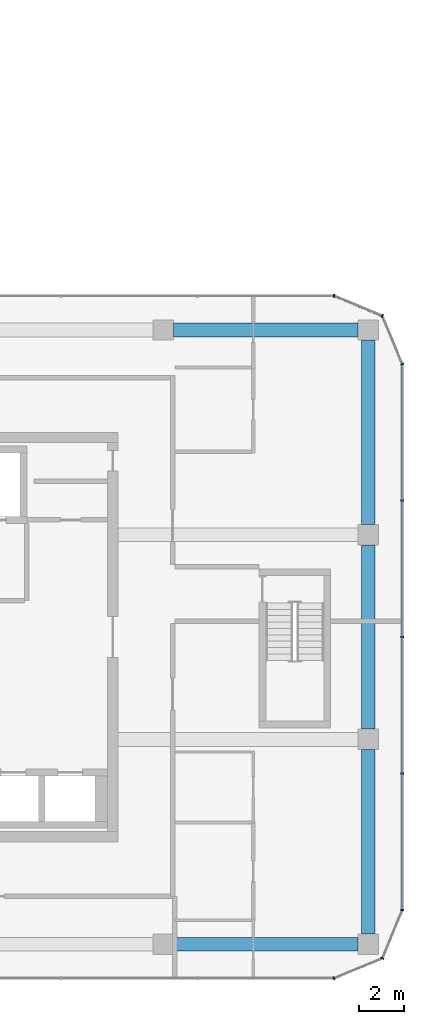
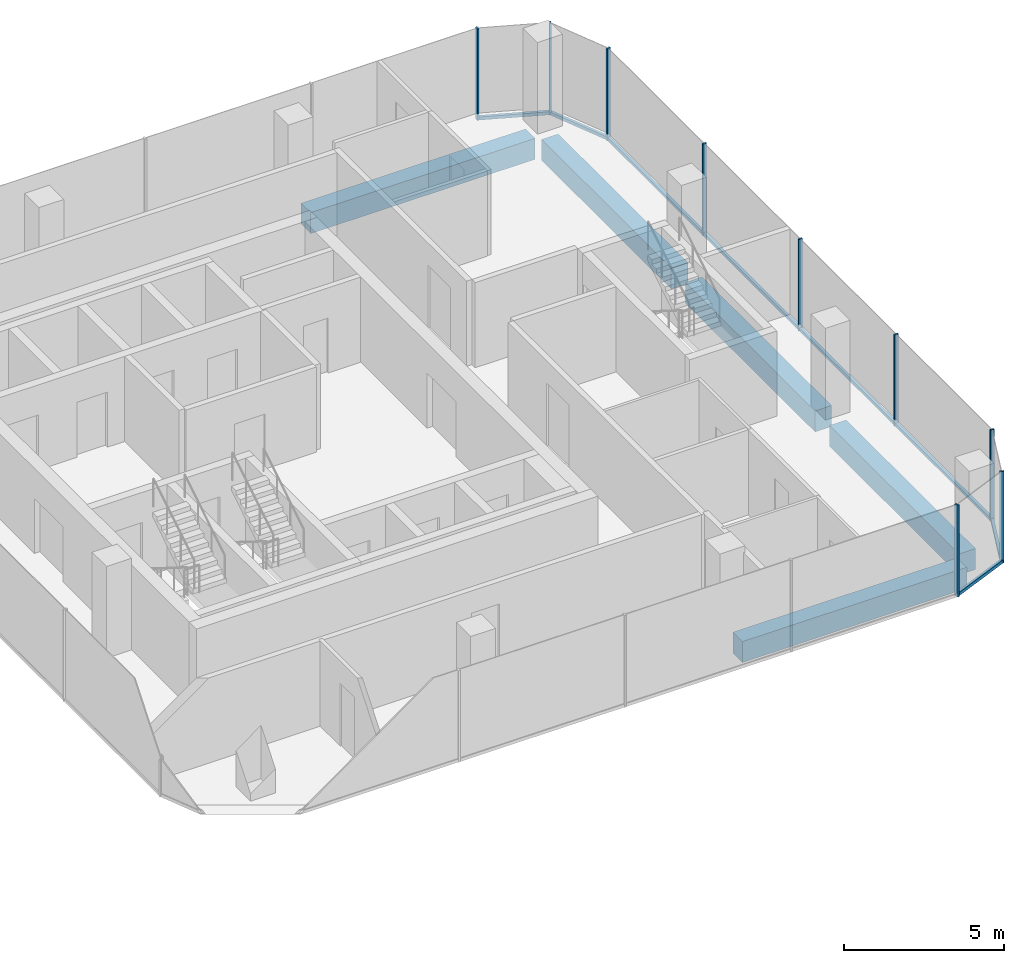
# One storey, part 10 of 23: 14 members, 5 beams, 6 elements without a shape of their own.
"""IFC4 building model written with IfcOpenShell, lengths in metres."""

from ifc_helpers import new_model, si_unit, direction, frame, origin, origin_2d, place, context, subcontext, project, spatial, rectangle, extrude, material, layer, layer_set, material_profile, profile_set, type_object, element, aggregate, save


model = new_model("IFC4")

# Units and contexts
model_context = context("Model", 3, precision=1e-05, world=origin(), true_north=direction((0.0, 1.0)))
body_context = subcontext(model_context, "Body", "Model", "MODEL_VIEW")
ifc_project = project(units=[si_unit("LENGTHUNIT", "METRE"), si_unit("AREAUNIT", "SQUARE_METRE"), si_unit("VOLUMEUNIT", "CUBIC_METRE"), si_unit("PLANEANGLEUNIT", "RADIAN"), si_unit("MASSUNIT", "GRAM", prefix="KILO")], contexts=[model_context])

# Site, building, storey
site_placement = place(None, origin())
site = spatial("IfcSite", under=ifc_project, at=site_placement, CompositionType="ELEMENT")
building_placement = place(site_placement, origin())
building = spatial("IfcBuilding", under=site, at=building_placement, Name="Plateau Cross Towers", CompositionType="ELEMENT")
storey_placement = place(building_placement, frame((0.0, 0.0, 81.800048828125)))
storey = spatial("IfcBuildingStorey", under=building, at=storey_placement, Name="L20", CompositionType="ELEMENT", Elevation=81.800048828125)

# Curtain wall, member
ifc_material_1 = material(Name="Dark low-iron glass", Category="glass")
ifc_layer = layer(ifc_material_1, 0.239990234375)
ifc_layer_set = layer_set([ifc_layer], Name="Dark low-iron glass")
curtain_wall_type = type_object("IfcCurtainWallType", Name="Curtain wall office unitised CW-F", PredefinedType="NOTDEFINED", material=ifc_layer_set)
curtain_wall_1_placement = place(storey_placement, origin())
curtain_wall_1 = element("IfcCurtainWall", 1, at=curtain_wall_1_placement, inside=storey, type_object=curtain_wall_type, Name="ENV/B/L20/B990_-60", PredefinedType="NOTDEFINED")
ifc_material_2 = material(Name="Black anodised aluminium", Category="aluminium")
ifc_material_profile_1 = material_profile(ifc_material_2, rectangle(XDim=0.06005859375, YDim=0.139892578125, at=origin_2d()), Name="MULLION 60x140")
ifc_profile_set_1 = profile_set([ifc_material_profile_1], Name="Black anodised aluminium")
member_type_1 = type_object("IfcMemberType", Name="Mullion 60x140 office unitised", PredefinedType="MULLION", material=ifc_profile_set_1)
member_1_placement = place(storey_placement, frame((99.0, -6.0, -0.25), z_axis=(0.0, 0.0, 1.0), x_axis=(0.923879457699, 0.382683612978, 0.0)))
member_1 = element("IfcMember", 2, at=member_1_placement, type_object=member_type_1, Name="CW-F mullion 1", PredefinedType="MULLION", context=body_context, shape_type="SweptSolid", body=[
    extrude(rectangle(XDim=0.06005859375, YDim=0.139892578125, at=origin_2d()), origin(), (0.0, 0.0, 1.0), 3.5),
])

curtain_wall_2_placement = place(storey_placement, origin())
curtain_wall_2 = element("IfcCurtainWall", 3, at=curtain_wall_2_placement, inside=storey, type_object=curtain_wall_type, Name="ENV/B/L20/B1011_-51", PredefinedType="NOTDEFINED")
member_2_placement = place(storey_placement, frame((101.121337890625, -5.121337890625, -0.25), z_axis=(0.0, 0.0, 1.0), x_axis=(0.382683612978, 0.923879457699, 0.0)))
member_2 = element("IfcMember", 4, at=member_2_placement, type_object=member_type_1, Name="CW-F mullion 1", PredefinedType="MULLION", context=body_context, shape_type="SweptSolid", body=[
    extrude(rectangle(XDim=0.06005859375, YDim=0.139892578125, at=origin_2d()), origin(), (0.0, 0.0, 1.0), 3.5),
])

# Curtain wall, members
curtain_wall_3_placement = place(storey_placement, origin())
curtain_wall_3 = element("IfcCurtainWall", 5, at=curtain_wall_3_placement, inside=storey, type_object=curtain_wall_type, Name="ENV/B/L20/B1020_-30", PredefinedType="NOTDEFINED")
member_3_placement = place(storey_placement, frame((102.0, -3.0, -0.25), z_axis=(0.0, 0.0, 1.0), x_axis=(0.0, 1.0, 0.0)))
member_3 = element("IfcMember", 6, at=member_3_placement, type_object=member_type_1, Name="CW-F mullion 1", PredefinedType="MULLION", context=body_context, shape_type="SweptSolid", body=[
    extrude(rectangle(XDim=0.06005859375, YDim=0.139892578125, at=origin_2d()), origin(), (0.0, 0.0, 1.0), 3.5),
])
member_4_placement = place(storey_placement, frame((102.0, 3.0, -0.25), z_axis=(0.0, 0.0, 1.0), x_axis=(0.0, 1.0, 0.0)))
member_4 = element("IfcMember", 7, at=member_4_placement, type_object=member_type_1, Name="CW-F mullion 2", PredefinedType="MULLION", context=body_context, shape_type="SweptSolid", body=[
    extrude(rectangle(XDim=0.06005859375, YDim=0.139892578125, at=origin_2d()), origin(), (0.0, 0.0, 1.0), 3.5),
])
member_5_placement = place(storey_placement, frame((102.0, 9.0, -0.25), z_axis=(0.0, 0.0, 1.0), x_axis=(0.0, 1.0, 0.0)))
member_5 = element("IfcMember", 8, at=member_5_placement, type_object=member_type_1, Name="CW-F mullion 3", PredefinedType="MULLION", context=body_context, shape_type="SweptSolid", body=[
    extrude(rectangle(XDim=0.06005859375, YDim=0.139892578125, at=origin_2d()), origin(), (0.0, 0.0, 1.0), 3.5),
])
member_6_placement = place(storey_placement, frame((102.0, 15.0, -0.25), z_axis=(0.0, 0.0, 1.0), x_axis=(0.0, 1.0, 0.0)))
member_6 = element("IfcMember", 9, at=member_6_placement, type_object=member_type_1, Name="CW-F mullion 4", PredefinedType="MULLION", context=body_context, shape_type="SweptSolid", body=[
    extrude(rectangle(XDim=0.06005859375, YDim=0.139892578125, at=origin_2d()), origin(), (0.0, 0.0, 1.0), 3.5),
])

# Curtain wall, member
curtain_wall_4_placement = place(storey_placement, origin())
curtain_wall_4 = element("IfcCurtainWall", 10, at=curtain_wall_4_placement, inside=storey, type_object=curtain_wall_type, Name="ENV/B/L20/B1020_210", PredefinedType="NOTDEFINED")
member_7_placement = place(storey_placement, frame((102.0, 21.0, -0.25), z_axis=(0.0, 0.0, 1.0), x_axis=(-0.382683612978, 0.923879457699, 0.0)))
member_7 = element("IfcMember", 11, at=member_7_placement, type_object=member_type_1, Name="CW-F mullion 1", PredefinedType="MULLION", context=body_context, shape_type="SweptSolid", body=[
    extrude(rectangle(XDim=0.06005859375, YDim=0.139892578125, at=origin_2d()), origin(), (0.0, 0.0, 1.0), 3.5),
])

curtain_wall_5_placement = place(storey_placement, origin())
curtain_wall_5 = element("IfcCurtainWall", 12, at=curtain_wall_5_placement, inside=storey, type_object=curtain_wall_type, Name="ENV/B/L20/B1011_231", PredefinedType="NOTDEFINED")
member_8_placement = place(storey_placement, frame((101.121337890625, 23.121337890625, -0.25), z_axis=(0.0, 0.0, 1.0), x_axis=(-0.923879457699, 0.382683612978, 0.0)))
member_8 = element("IfcMember", 13, at=member_8_placement, type_object=member_type_1, Name="CW-F mullion 1", PredefinedType="MULLION", context=body_context, shape_type="SweptSolid", body=[
    extrude(rectangle(XDim=0.06005859375, YDim=0.139892578125, at=origin_2d()), origin(), (0.0, 0.0, 1.0), 3.5),
])

curtain_wall_6_placement = place(storey_placement, origin())
curtain_wall_6 = element("IfcCurtainWall", 14, at=curtain_wall_6_placement, inside=storey, type_object=curtain_wall_type, Name="ENV/B/L20/B990_240", PredefinedType="NOTDEFINED")
member_9_placement = place(storey_placement, frame((99.0, 24.0, -0.25), z_axis=(0.0, 0.0, 1.0), x_axis=(-1.0, 0.0, 0.0)))
member_9 = element("IfcMember", 15, at=member_9_placement, type_object=member_type_1, Name="CW-F mullion 1", PredefinedType="MULLION", context=body_context, shape_type="SweptSolid", body=[
    extrude(rectangle(XDim=0.06005859375, YDim=0.139892578125, at=origin_2d()), origin(), (0.0, 0.0, 1.0), 3.5),
])
aggregate(curtain_wall_6, [member_9])

# Beams
ifc_material_3 = material(Name="Concrete C60/75", Category="concrete")
ifc_material_profile_2 = material_profile(ifc_material_3, rectangle(XDim=0.60009765625, YDim=0.800048828125, at=origin_2d()), Name="RC 600x800")
ifc_profile_set_2 = profile_set([ifc_material_profile_2], Name="Concrete C60/75")
beam_type = type_object("IfcBeamType", Name="Ring beam RC 600x800", PredefinedType="BEAM", material=ifc_profile_set_2)
for number, where, z_axis, x_axis, name in (
    (16, (91.949951171875, -4.5, -0.650146484375), (1.0, 0.0, 0.0), (0.0, 1.0, 0.0), "B-RB02@L20"),
    (17, (100.5, -4.050048828125, -0.650146484375), (0.0, 1.0, 0.0), (-1.0, 0.0, 0.0), "B-RB03@L20"),
    (18, (100.5, 4.949951171875, -0.650146484375), (0.0, 1.0, 0.0), (-1.0, 0.0, 0.0), "B-RB04@L20"),
    (19, (100.5, 13.949951171875, -0.650146484375), (0.0, 1.0, 0.0), (-1.0, 0.0, 0.0), "B-RB05@L20"),
    (20, (100.050048828125, 22.5, -0.650146484375), (-1.0, 0.0, 0.0), (0.0, -1.0, 0.0), "B-RB06@L20"),
):
    element("IfcBeam", number, at=place(storey_placement, frame(where, z_axis=z_axis, x_axis=x_axis)), inside=storey, type_object=beam_type, Name=name, PredefinedType="BEAM", context=body_context, shape_type="SweptSolid", body=[
        extrude(rectangle(XDim=0.60009765625, YDim=0.800048828125, at=origin_2d()), origin(), (0.0, 0.0, 1.0), 8.10009765625),
    ])

# Member
ifc_material_profile_3 = material_profile(ifc_material_2, rectangle(XDim=0.10009765625, YDim=0.1201171875, at=origin_2d()), Name="TRANSOM 100x120")
ifc_profile_set_3 = profile_set([ifc_material_profile_3], Name="Black anodised aluminium")
member_type_2 = type_object("IfcMemberType", Name="Transom 100x120 office unitised", PredefinedType="USERDEFINED", material=ifc_profile_set_3)
member_10_placement = place(storey_placement, frame((99.0, -6.0, -0.18994140625), z_axis=(0.923883353507, 0.382674207535, 0.0), x_axis=(-0.382674207535, 0.923883353507, 0.0)))
member_10 = element("IfcMember", 21, at=member_10_placement, type_object=member_type_2, Name="CW-F transom", ObjectType="TRANSOM", PredefinedType="USERDEFINED", context=body_context, shape_type="SweptSolid", body=[
    extrude(rectangle(XDim=0.10009765625, YDim=0.1201171875, at=origin_2d()), origin(), (0.0, 0.0, 1.0), 2.296142578125),
])

aggregate(curtain_wall_1, [member_1, member_10])

member_11_placement = place(storey_placement, frame((101.121337890625, -5.121337890625, -0.18994140625), z_axis=(0.382674207535, 0.923883353507, 0.0), x_axis=(-0.923883353507, 0.382674207535, 0.0)))
member_11 = element("IfcMember", 22, at=member_11_placement, type_object=member_type_2, Name="CW-F transom", ObjectType="TRANSOM", PredefinedType="USERDEFINED", context=body_context, shape_type="SweptSolid", body=[
    extrude(rectangle(XDim=0.10009765625, YDim=0.1201171875, at=origin_2d()), origin(), (0.0, 0.0, 1.0), 2.296142578125),
])

aggregate(curtain_wall_2, [member_2, member_11])

member_12_placement = place(storey_placement, frame((102.0, -3.0, -0.18994140625), z_axis=(0.0, 1.0, 0.0), x_axis=(-1.0, 0.0, 0.0)))
member_12 = element("IfcMember", 23, at=member_12_placement, type_object=member_type_2, Name="CW-F transom", ObjectType="TRANSOM", PredefinedType="USERDEFINED", context=body_context, shape_type="SweptSolid", body=[
    extrude(rectangle(XDim=0.10009765625, YDim=0.1201171875, at=origin_2d()), origin(), (0.0, 0.0, 1.0), 24.0),
])

aggregate(curtain_wall_3, [member_3, member_4, member_5, member_6, member_12])

member_13_placement = place(storey_placement, frame((102.0, 21.0, -0.18994140625), z_axis=(-0.382674207535, 0.923883353507, 0.0), x_axis=(-0.923883353507, -0.382674207535, 0.0)))
member_13 = element("IfcMember", 24, at=member_13_placement, type_object=member_type_2, Name="CW-F transom", ObjectType="TRANSOM", PredefinedType="USERDEFINED", context=body_context, shape_type="SweptSolid", body=[
    extrude(rectangle(XDim=0.10009765625, YDim=0.1201171875, at=origin_2d()), origin(), (0.0, 0.0, 1.0), 2.296142578125),
])

aggregate(curtain_wall_4, [member_7, member_13])

member_14_placement = place(storey_placement, frame((101.121337890625, 23.121337890625, -0.18994140625), z_axis=(-0.923883353507, 0.382674207535, 0.0), x_axis=(-0.382674207535, -0.923883353507, 0.0)))
member_14 = element("IfcMember", 25, at=member_14_placement, type_object=member_type_2, Name="CW-F transom", ObjectType="TRANSOM", PredefinedType="USERDEFINED", context=body_context, shape_type="SweptSolid", body=[
    extrude(rectangle(XDim=0.10009765625, YDim=0.1201171875, at=origin_2d()), origin(), (0.0, 0.0, 1.0), 2.296142578125),
])

aggregate(curtain_wall_5, [member_8, member_14])

save(model, "model.ifc")
